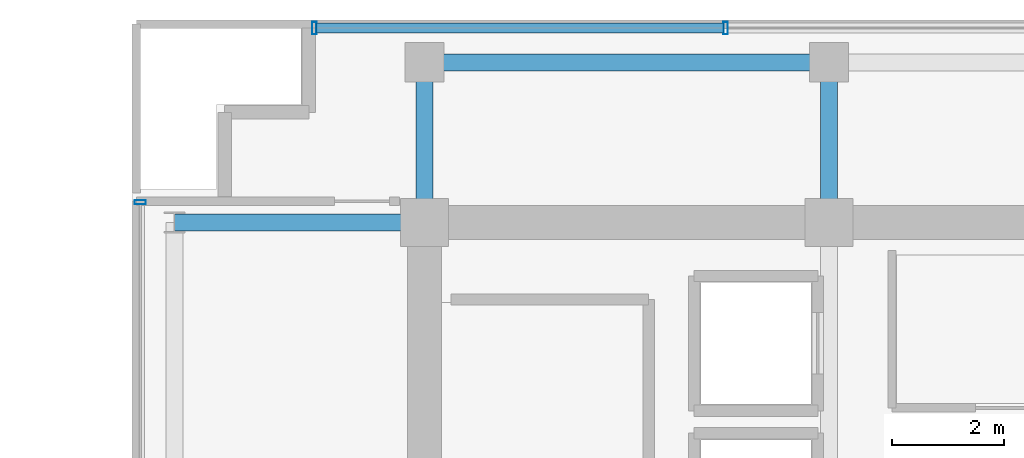
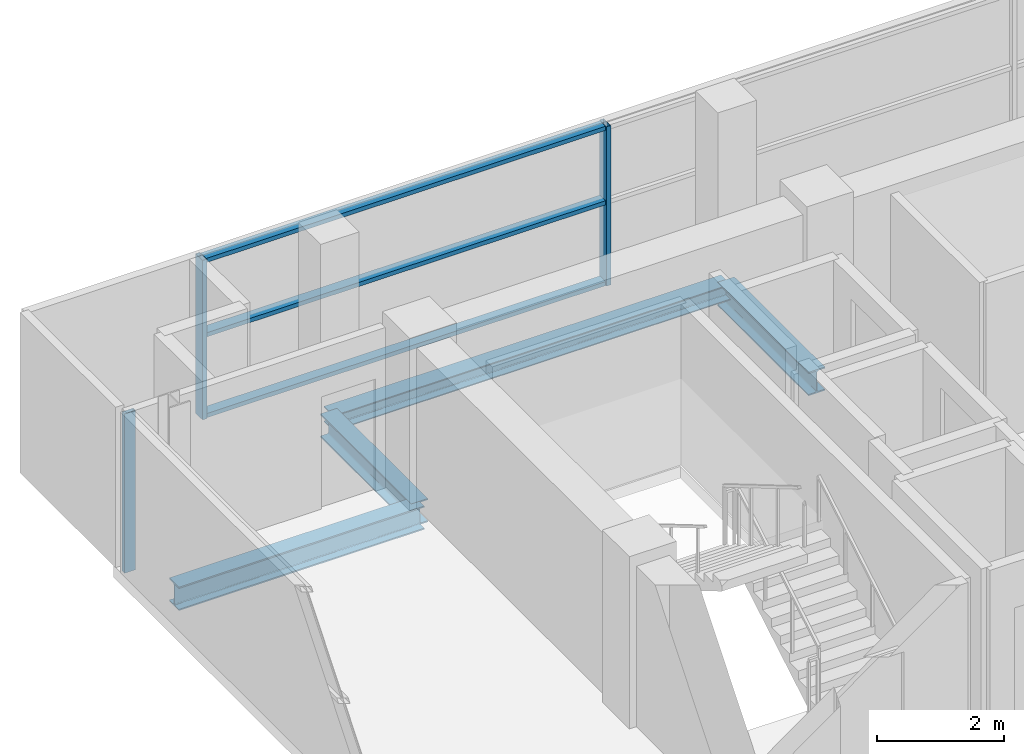
# One storey, part 11 of 21: 6 members, 4 beams, 2 elements without a shape of their own.
"""IFC4 building model written with IfcOpenShell, lengths in metres."""

from ifc_helpers import new_model, si_unit, direction, frame, origin, origin_2d, place, context, subcontext, project, spatial, hollow_rectangle, i_section, extrude, source, transform, mapped, material, layer, layer_set, material_profile, profile_set, type_object, element, aggregate, save


model = new_model("IFC4")

# Units and contexts
model_context = context("Model", 3, precision=1e-05, world=origin(), true_north=direction((0.0, 1.0)))
body_context = subcontext(model_context, "Body", "Model", "MODEL_VIEW")
ifc_project = project(units=[si_unit("LENGTHUNIT", "METRE"), si_unit("AREAUNIT", "SQUARE_METRE"), si_unit("VOLUMEUNIT", "CUBIC_METRE"), si_unit("PLANEANGLEUNIT", "RADIAN"), si_unit("MASSUNIT", "GRAM", prefix="KILO")], contexts=[model_context])

# Site, building, storey
site_placement = place(None, origin())
site = spatial("IfcSite", under=ifc_project, at=site_placement, CompositionType="ELEMENT")
building_placement = place(site_placement, origin())
building = spatial("IfcBuilding", under=site, at=building_placement, Name="Zarnakvel Exchange Tower", CompositionType="ELEMENT")
storey_placement = place(building_placement, frame((0.0, 0.0, 241.89990234375)))
storey = spatial("IfcBuildingStorey", under=building, at=storey_placement, Name="L68", CompositionType="ELEMENT", Elevation=241.89990234375)

# Beams
ifc_material_1 = material(Name="Steel S355", Category="steel")
ifc_material_profile_1 = material_profile(ifc_material_1, i_section(OverallWidth=0.300048828125, OverallDepth=0.449951171875, WebThickness=0.013916015625, FlangeThickness=0.02587890625, FilletRadius=0.027099609375, at=origin_2d()))
ifc_profile_set_1 = profile_set([ifc_material_profile_1], Name="Steel S355")
beam_type_1 = type_object("IfcBeamType", Name="G-07", PredefinedType="BEAM", material=ifc_profile_set_1)
beam_1_placement = place(storey_placement, frame((-18.85009765625, 13.5, -0.449951171875), z_axis=(1.0, 0.0, 0.0), x_axis=(0.0, 1.0, 0.0)))
element("IfcBeam", 1, at=beam_1_placement, inside=storey, type_object=beam_type_1, Name="L68 Tower E-W Frame Beam", PredefinedType="BEAM", context=body_context, shape_type="SweptSolid", body=[
    extrude(i_section(OverallWidth=0.300048828125, OverallDepth=0.449951171875, WebThickness=0.013916015625, FlangeThickness=0.02587890625, FilletRadius=0.027099609375, at=origin_2d()), origin(), (0.0, 0.0, 1.0), 4.4501953125),
])
for number, where, z_axis, x_axis, name in (
    (2, (-14.39990234375, 13.5, -0.449951171875), (0.0, 1.0, 0.0), (-1.0, 0.0, 0.0), "L68 Tower N-S Frame Beam"),
    (3, (-7.199951171875, 13.5, -0.449951171875), (0.0, 1.0, 0.0), (-1.0, 0.0, 0.0), "L68 Tower N-S Frame Beam"),
):
    element("IfcBeam", number, at=place(storey_placement, frame(where, z_axis=z_axis, x_axis=x_axis)), inside=storey, type_object=beam_type_1, Name=name, PredefinedType="BEAM", context=body_context, shape_type="SweptSolid", body=[
        extrude(i_section(OverallWidth=0.300048828125, OverallDepth=0.449951171875, WebThickness=0.013916015625, FlangeThickness=0.02587890625, FilletRadius=0.027099609375, at=origin_2d()), origin(), (0.0, 0.0, 1.0), 2.85009765625),
    ])
ifc_material_profile_2 = material_profile(ifc_material_1, i_section(OverallWidth=0.300048828125, OverallDepth=0.300048828125, WebThickness=0.010986328125, FlangeThickness=0.01904296875, FilletRadius=0.027099609375, at=origin_2d()))
ifc_profile_set_2 = profile_set([ifc_material_profile_2], Name="Steel S355")
beam_type_2 = type_object("IfcBeamType", Name="SP-03", PredefinedType="SPANDREL", material=ifc_profile_set_2)
beam_2_placement = place(storey_placement, frame((-14.39990234375, 16.35009765625, -0.375), z_axis=(1.0, 0.0, 0.0), x_axis=(0.0, 1.0, 0.0)))
element("IfcBeam", 4, at=beam_2_placement, inside=storey, type_object=beam_type_2, Name="L68 Tower E-W Frame Beam", PredefinedType="SPANDREL", context=body_context, shape_type="SweptSolid", body=[
    extrude(i_section(OverallWidth=0.300048828125, OverallDepth=0.300048828125, WebThickness=0.010986328125, FlangeThickness=0.01904296875, FilletRadius=0.027099609375, at=origin_2d()), origin(), (0.0, 0.0, 1.0), 7.199951171875),
])

# Curtain wall, member
ifc_material_2 = material(Name="Architectural Bronze Anodised Aluminium", Category="aluminium")
ifc_layer_1 = layer(ifc_material_2, 0.199951171875)
ifc_layer_set_1 = layer_set([ifc_layer_1], Name="Architectural Bronze Anodised Aluminium")
curtain_wall_type_1 = type_object("IfcCurtainWallType", Name="CW-04", PredefinedType="NOTDEFINED", material=ifc_layer_set_1)
curtain_wall_1_placement = place(storey_placement, origin())
curtain_wall_1 = element("IfcCurtainWall", 5, at=curtain_wall_1_placement, inside=storey, type_object=curtain_wall_type_1, Name="L68 Curtain Wall CW-L68-WN (CW-04)", PredefinedType="NOTDEFINED")
ifc_material_profile_3 = material_profile(ifc_material_2, hollow_rectangle(XDim=0.199951171875, YDim=0.074951171875, WallThickness=0.0048828125, at=origin_2d()))
ifc_profile_set_3 = profile_set([ifc_material_profile_3], Name="Architectural Bronze Anodised Aluminium")
member_type_1 = type_object("IfcMemberType", Name="CWM-04", PredefinedType="MULLION", material=ifc_profile_set_3)
shared_shape_1 = source(origin(), body_context, "Body", "SweptSolid", [
    extrude(hollow_rectangle(XDim=0.199951171875, YDim=0.074951171875, WallThickness=0.0048828125, at=origin_2d()), origin(), (0.0, 0.0, 1.0), 3.05517578125),
])
member_1_placement = place(storey_placement, frame((-19.4599609375, 13.862548828125, 0.0), z_axis=(0.0, 0.0, 1.0), x_axis=(-1.0, 0.0, 0.0)))
member_1 = element("IfcMember", 6, at=member_1_placement, type_object=member_type_1, Name="CW-04 mullion 3", PredefinedType="MULLION", context=body_context, shape_type="MappedRepresentation", body=[
    mapped(shared_shape_1, transform((0.0, 0.0, 0.0), x_axis=(1.0, 0.0, 0.0), y_axis=(0.0, 1.0, 0.0), z_axis=(0.0, 0.0, 1.0), scale=1.0)),
])
aggregate(curtain_wall_1, [member_1])

# Curtain wall, members
ifc_layer_2 = layer(ifc_material_2, 0.219970703125)
ifc_layer_set_2 = layer_set([ifc_layer_2], Name="Architectural Bronze Anodised Aluminium")
curtain_wall_type_2 = type_object("IfcCurtainWallType", Name="CW-03", PredefinedType="NOTDEFINED", material=ifc_layer_set_2)
curtain_wall_2_placement = place(storey_placement, origin())
curtain_wall_2 = element("IfcCurtainWall", 7, at=curtain_wall_2_placement, inside=storey, type_object=curtain_wall_type_2, Name="L68 Curtain Wall CW-L68-N1 (CW-03)", PredefinedType="NOTDEFINED")
ifc_material_profile_4 = material_profile(ifc_material_2, hollow_rectangle(XDim=0.219970703125, YDim=0.080078125, WallThickness=0.0048828125, at=origin_2d()))
ifc_profile_set_4 = profile_set([ifc_material_profile_4], Name="Architectural Bronze Anodised Aluminium")
member_type_2 = type_object("IfcMemberType", Name="CWM-03", PredefinedType="MULLION", material=ifc_profile_set_4)
shared_shape_2 = source(origin(), body_context, "Body", "SweptSolid", [
    extrude(hollow_rectangle(XDim=0.219970703125, YDim=0.080078125, WallThickness=0.0048828125, at=origin_2d()), origin(), (0.0, 0.0, 1.0), 3.05517578125),
])
member_2_placement = place(storey_placement, frame((-16.360107421875, 16.9599609375, 0.0), z_axis=(0.0, 0.0, 1.0), x_axis=(0.0, 1.0, 0.0)))
member_2 = element("IfcMember", 8, at=member_2_placement, type_object=member_type_2, Name="CW-03 mullion 1", PredefinedType="MULLION", context=body_context, shape_type="MappedRepresentation", body=[
    mapped(shared_shape_2, transform((0.0, 0.0, 0.0), x_axis=(1.0, 0.0, 0.0), y_axis=(0.0, 1.0, 0.0), z_axis=(0.0, 0.0, 1.0), scale=1.0)),
])
member_3_placement = place(storey_placement, frame((-9.0400390625, 16.9599609375, 0.0), z_axis=(0.0, 0.0, 1.0), x_axis=(0.0, 1.0, 0.0)))
member_3 = element("IfcMember", 9, at=member_3_placement, type_object=member_type_2, Name="CW-03 mullion 2", PredefinedType="MULLION", context=body_context, shape_type="MappedRepresentation", body=[
    mapped(shared_shape_2, transform((0.0, 0.0, 0.0), x_axis=(1.0, 0.0, 0.0), y_axis=(0.0, 1.0, 0.0), z_axis=(0.0, 0.0, 1.0), scale=1.0)),
])
ifc_material_profile_5 = material_profile(ifc_material_2, hollow_rectangle(XDim=0.179931640625, YDim=0.080078125, WallThickness=0.00390625, at=origin_2d()))
ifc_profile_set_5 = profile_set([ifc_material_profile_5], Name="Architectural Bronze Anodised Aluminium")
member_type_3 = type_object("IfcMemberType", Name="CWT-03", PredefinedType="USERDEFINED", material=ifc_profile_set_5)
shared_shape_3 = source(origin(), body_context, "Body", "SweptSolid", [
    extrude(hollow_rectangle(XDim=0.179931640625, YDim=0.080078125, WallThickness=0.00390625, at=origin_2d()), origin(), (0.0, 0.0, 1.0), 7.239990234375),
])
member_4_placement = place(storey_placement, frame((-16.320068359375, 16.9599609375, 0.0400390625), z_axis=(1.0, 0.0, 0.0), x_axis=(0.0, 1.0, 0.0)))
member_4 = element("IfcMember", 10, at=member_4_placement, type_object=member_type_3, Name="CW-03 transom 1.1", ObjectType="TRANSOM", PredefinedType="USERDEFINED", context=body_context, shape_type="MappedRepresentation", body=[
    mapped(shared_shape_3, transform((0.0, 0.0, 0.0), x_axis=(1.0, 0.0, 0.0), y_axis=(0.0, 1.0, 0.0), z_axis=(0.0, 0.0, 1.0), scale=1.0)),
])
member_5_placement = place(storey_placement, frame((-16.320068359375, 16.9599609375, 1.588623046875), z_axis=(1.0, 0.0, 0.0), x_axis=(0.0, 1.0, 0.0)))
member_5 = element("IfcMember", 11, at=member_5_placement, type_object=member_type_3, Name="CW-03 transom 1.2", ObjectType="TRANSOM", PredefinedType="USERDEFINED", context=body_context, shape_type="MappedRepresentation", body=[
    mapped(shared_shape_3, transform((0.0, 0.0, 0.0), x_axis=(1.0, 0.0, 0.0), y_axis=(0.0, 1.0, 0.0), z_axis=(0.0, 0.0, 1.0), scale=1.0)),
])
member_6_placement = place(storey_placement, frame((-16.320068359375, 16.9599609375, 3.01513671875), z_axis=(1.0, 0.0, 0.0), x_axis=(0.0, 1.0, 0.0)))
member_6 = element("IfcMember", 12, at=member_6_placement, type_object=member_type_3, Name="CW-03 transom 1.3", ObjectType="TRANSOM", PredefinedType="USERDEFINED", context=body_context, shape_type="MappedRepresentation", body=[
    mapped(shared_shape_3, transform((0.0, 0.0, 0.0), x_axis=(1.0, 0.0, 0.0), y_axis=(0.0, 1.0, 0.0), z_axis=(0.0, 0.0, 1.0), scale=1.0)),
])
aggregate(curtain_wall_2, [member_2, member_3, member_4, member_5, member_6])

save(model, "model.ifc")
